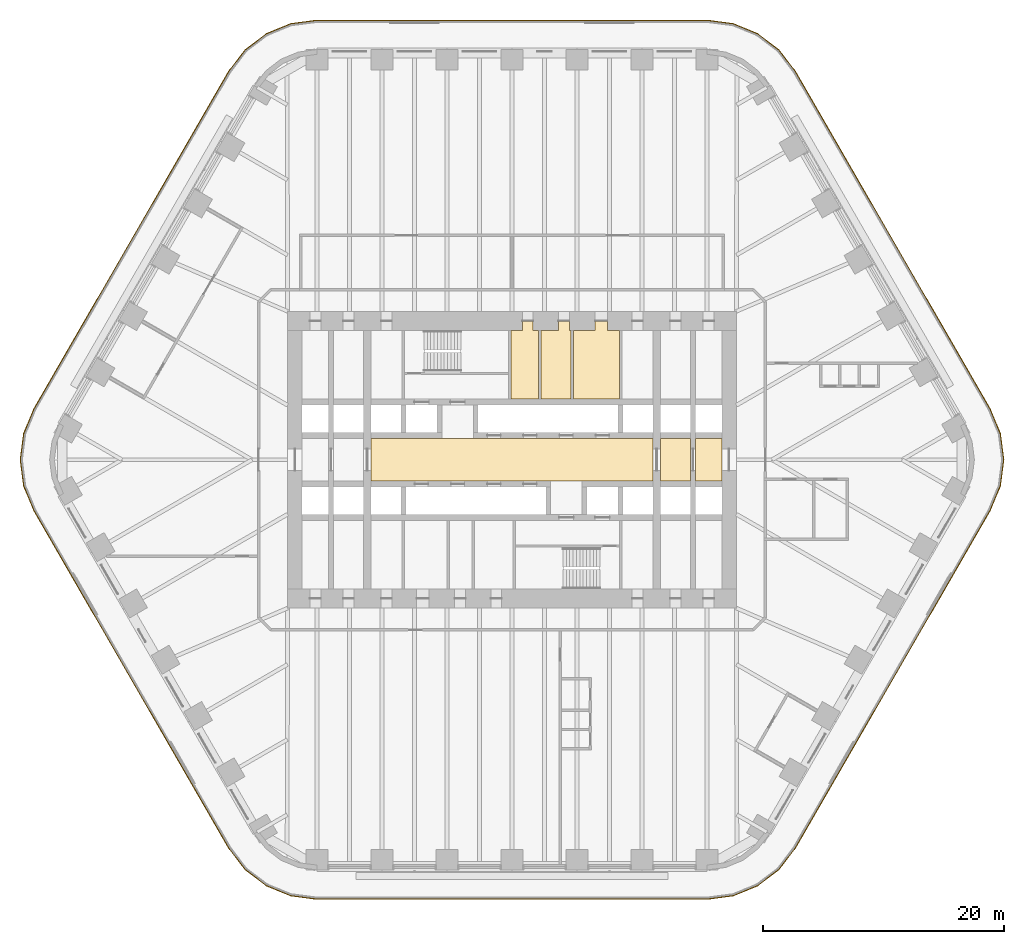
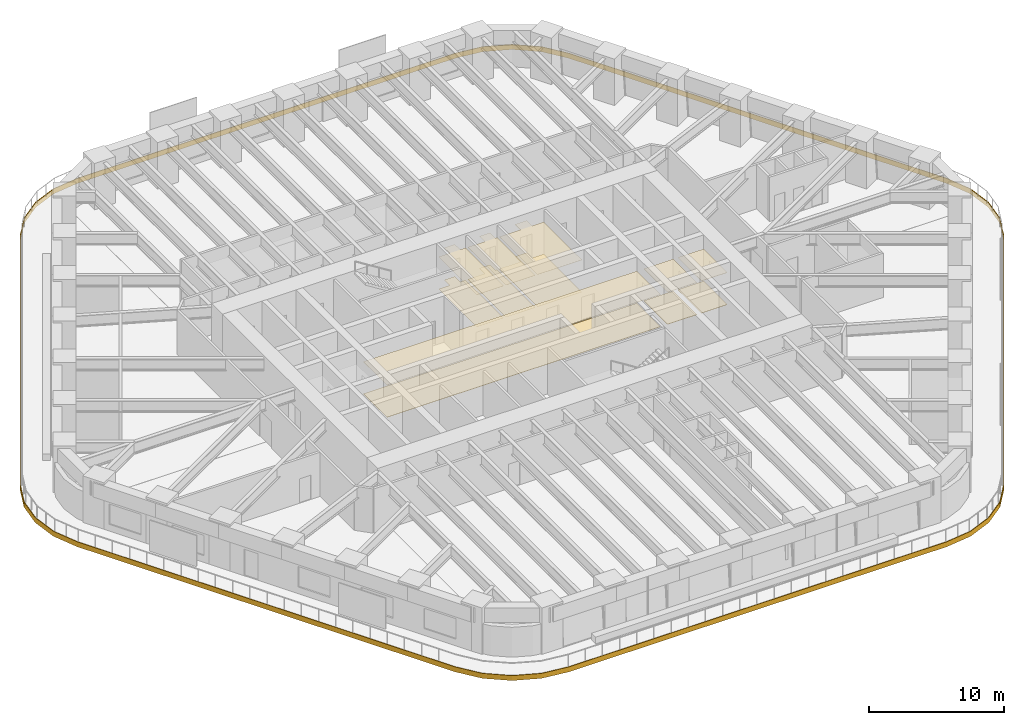
# One storey, part 23 of 24: 13 coverings.
"""IFC4 building model written with IfcOpenShell, lengths in metres."""

from ifc_helpers import new_model, si_unit, direction, frame, origin, place, context, subcontext, project, spatial, polyline, outline, extrude, material, layer, layer_set, type_object, element, save


model = new_model("IFC4")

# Units and contexts
model_context = context("Model", 3, precision=1e-05, world=origin(), true_north=direction((0.0, 1.0)))
body_context = subcontext(model_context, "Body", "Model", "MODEL_VIEW")
ifc_project = project(units=[si_unit("LENGTHUNIT", "METRE"), si_unit("AREAUNIT", "SQUARE_METRE"), si_unit("VOLUMEUNIT", "CUBIC_METRE"), si_unit("PLANEANGLEUNIT", "RADIAN"), si_unit("MASSUNIT", "GRAM", prefix="KILO")], contexts=[model_context])

# Site, building, storey
site_placement = place(None, origin())
site = spatial("IfcSite", under=ifc_project, at=site_placement, CompositionType="ELEMENT")
building_placement = place(site_placement, origin())
building = spatial("IfcBuilding", under=site, at=building_placement, Name="Tarfa Lantern Tower", CompositionType="ELEMENT")
storey_placement = place(building_placement, frame((0.0, 0.0, 94.89990234375)))
storey = spatial("IfcBuildingStorey", under=building, at=storey_placement, Name="L21", CompositionType="ELEMENT", Elevation=94.89990234375)

# Coverings
ifc_material_1 = material(Name="Moisture-resistant plasterboard", Category="finish")
ifc_layer_1 = layer(ifc_material_1, 0.014892578125)
ifc_layer_set_1 = layer_set([ifc_layer_1], Name="CL2 MOISTURE-RESISTANT PLASTERBOARD CEILING 15")
covering_type_1 = type_object("IfcCoveringType", Name="CL2 MOISTURE-RESISTANT PLASTERBOARD CEILING 15", PredefinedType="CEILING", material=ifc_layer_set_1)
covering_1_placement = place(storey_placement, frame((0.0, 0.0, 2.900146484375)))
element("IfcCovering", 1, at=covering_1_placement, inside=storey, type_object=covering_type_1, Name="Ceiling L21-09", PredefinedType="CEILING", context=body_context, shape_type="SweptSolid", body=[
    extrude(outline(polyline([(0.85009765625, 10.699951171875), (-0.10009765625, 10.699951171875), (-0.10009765625, 5.050048828125), (2.199951171875, 5.050048828125), (2.199951171875, 10.699951171875), (1.75, 10.699951171875), (1.75, 11.5), (0.85009765625, 11.5), (0.85009765625, 10.699951171875)])), origin(), (0.0, 0.0, 1.0), 0.014892578125),
])
covering_2_placement = place(storey_placement, frame((0.0, 0.0, 2.900146484375)))
element("IfcCovering", 2, at=covering_2_placement, inside=storey, type_object=covering_type_1, Name="Ceiling L21-10", PredefinedType="CEILING", context=body_context, shape_type="SweptSolid", body=[
    extrude(outline(polyline([(2.39990234375, 5.050048828125), (4.89990234375, 5.050048828125), (4.89990234375, 10.699951171875), (4.75, 10.699951171875), (4.75, 11.5), (3.85009765625, 11.5), (3.85009765625, 10.699951171875), (2.39990234375, 10.699951171875), (2.39990234375, 5.050048828125)])), origin(), (0.0, 0.0, 1.0), 0.014892578125),
])
covering_3_placement = place(storey_placement, frame((0.0, 0.0, 2.900146484375)))
element("IfcCovering", 3, at=covering_3_placement, inside=storey, type_object=covering_type_1, Name="Ceiling L21-11", PredefinedType="CEILING", context=body_context, shape_type="SweptSolid", body=[
    extrude(outline(polyline([(5.10009765625, 5.050048828125), (8.89990234375, 5.050048828125), (8.89990234375, 10.699951171875), (7.89990234375, 10.699951171875), (7.89990234375, 11.5), (6.89990234375, 11.5), (6.89990234375, 10.699951171875), (5.10009765625, 10.699951171875), (5.10009765625, 5.050048828125)])), origin(), (0.0, 0.0, 1.0), 0.014892578125),
])
ifc_material_2 = material(Name="Powder-coated aluminium panel", Category="aluminium")
ifc_layer_2 = layer(ifc_material_2, 0.030029296875)
ifc_layer_set_2 = layer_set([ifc_layer_2], Name="CL3 METAL PANEL CEILING 30")
covering_type_2 = type_object("IfcCoveringType", Name="CL3 METAL PANEL CEILING 30", PredefinedType="CEILING", material=ifc_layer_set_2)
covering_4_placement = place(storey_placement, frame((0.0, 0.0, 2.900146484375)))
element("IfcCovering", 4, at=covering_4_placement, inside=storey, type_object=covering_type_2, Name="Ceiling L21-03", PredefinedType="CEILING", context=body_context, shape_type="SweptSolid", body=[
    extrude(outline(polyline([(-11.699951171875, -1.75), (11.699951171875, -1.75), (11.699951171875, 1.75), (-11.699951171875, 1.75), (-11.699951171875, -1.75)])), origin(), (0.0, 0.0, 1.0), 0.030029296875),
])
covering_5_placement = place(storey_placement, frame((0.0, 0.0, 2.900146484375)))
element("IfcCovering", 5, at=covering_5_placement, inside=storey, type_object=covering_type_2, Name="Ceiling L21-04", PredefinedType="CEILING", context=body_context, shape_type="SweptSolid", body=[
    extrude(outline(polyline([(12.300048828125, -1.75), (14.800048828125, -1.75), (14.800048828125, 1.75), (12.300048828125, 1.75), (12.300048828125, -1.75)])), origin(), (0.0, 0.0, 1.0), 0.030029296875),
])
covering_6_placement = place(storey_placement, frame((0.0, 0.0, 2.900146484375)))
element("IfcCovering", 6, at=covering_6_placement, inside=storey, type_object=covering_type_2, Name="Ceiling L21-05", PredefinedType="CEILING", context=body_context, shape_type="SweptSolid", body=[
    extrude(outline(polyline([(15.199951171875, -1.75), (17.39990234375, -1.75), (17.39990234375, 1.75), (15.199951171875, 1.75), (15.199951171875, -1.75)])), origin(), (0.0, 0.0, 1.0), 0.030029296875),
])
ifc_material_3 = material(Name="Honed limestone flooring", Category="masonry")
ifc_layer_3 = layer(ifc_material_3, 0.030029296875)
ifc_layer_set_3 = layer_set([ifc_layer_3], Name="FL2 STONE FLOORING 30")
covering_type_3 = type_object("IfcCoveringType", Name="FL2 STONE FLOORING 30", PredefinedType="FLOORING", material=ifc_layer_set_3)
covering_7_placement = place(storey_placement, origin())
element("IfcCovering", 7, at=covering_7_placement, inside=storey, type_object=covering_type_3, Name="Floor finish L21-03", PredefinedType="FLOORING", context=body_context, shape_type="SweptSolid", body=[
    extrude(outline(polyline([(-11.699951171875, -1.75), (11.699951171875, -1.75), (11.699951171875, 1.75), (-11.699951171875, 1.75), (-11.699951171875, -1.75)])), origin(), (0.0, 0.0, 1.0), 0.030029296875),
])
covering_8_placement = place(storey_placement, origin())
element("IfcCovering", 8, at=covering_8_placement, inside=storey, type_object=covering_type_3, Name="Floor finish L21-04", PredefinedType="FLOORING", context=body_context, shape_type="SweptSolid", body=[
    extrude(outline(polyline([(12.300048828125, -1.75), (14.800048828125, -1.75), (14.800048828125, 1.75), (12.300048828125, 1.75), (12.300048828125, -1.75)])), origin(), (0.0, 0.0, 1.0), 0.030029296875),
])
covering_9_placement = place(storey_placement, origin())
element("IfcCovering", 9, at=covering_9_placement, inside=storey, type_object=covering_type_3, Name="Floor finish L21-05", PredefinedType="FLOORING", context=body_context, shape_type="SweptSolid", body=[
    extrude(outline(polyline([(15.199951171875, -1.75), (17.39990234375, -1.75), (17.39990234375, 1.75), (15.199951171875, 1.75), (15.199951171875, -1.75)])), origin(), (0.0, 0.0, 1.0), 0.030029296875),
])
ifc_material_4 = material(Name="Porcelain floor tile", Category="finish")
ifc_layer_4 = layer(ifc_material_4, 0.011962890625)
ifc_layer_set_4 = layer_set([ifc_layer_4], Name="FL3 CERAMIC TILE 12")
covering_type_4 = type_object("IfcCoveringType", Name="FL3 CERAMIC TILE 12", PredefinedType="FLOORING", material=ifc_layer_set_4)
covering_10_placement = place(storey_placement, origin())
element("IfcCovering", 10, at=covering_10_placement, inside=storey, type_object=covering_type_4, Name="Floor finish L21-09", PredefinedType="FLOORING", context=body_context, shape_type="SweptSolid", body=[
    extrude(outline(polyline([(0.85009765625, 10.699951171875), (-0.10009765625, 10.699951171875), (-0.10009765625, 5.050048828125), (2.199951171875, 5.050048828125), (2.199951171875, 10.699951171875), (1.75, 10.699951171875), (1.75, 11.5), (0.85009765625, 11.5), (0.85009765625, 10.699951171875)])), origin(), (0.0, 0.0, 1.0), 0.01220703125),
])
covering_11_placement = place(storey_placement, origin())
element("IfcCovering", 11, at=covering_11_placement, inside=storey, type_object=covering_type_4, Name="Floor finish L21-10", PredefinedType="FLOORING", context=body_context, shape_type="SweptSolid", body=[
    extrude(outline(polyline([(2.39990234375, 5.050048828125), (4.89990234375, 5.050048828125), (4.89990234375, 10.699951171875), (4.75, 10.699951171875), (4.75, 11.5), (3.85009765625, 11.5), (3.85009765625, 10.699951171875), (2.39990234375, 10.699951171875), (2.39990234375, 5.050048828125)])), origin(), (0.0, 0.0, 1.0), 0.01220703125),
])
covering_12_placement = place(storey_placement, origin())
element("IfcCovering", 12, at=covering_12_placement, inside=storey, type_object=covering_type_4, Name="Floor finish L21-11", PredefinedType="FLOORING", context=body_context, shape_type="SweptSolid", body=[
    extrude(outline(polyline([(5.10009765625, 5.050048828125), (8.89990234375, 5.050048828125), (8.89990234375, 10.699951171875), (7.89990234375, 10.699951171875), (7.89990234375, 11.5), (6.89990234375, 11.5), (6.89990234375, 10.699951171875), (5.10009765625, 10.699951171875), (5.10009765625, 5.050048828125)])), origin(), (0.0, 0.0, 1.0), 0.01220703125),
])
ifc_material_5 = material(Name="Limestone cladding on brackets", Category="masonry")
ifc_layer_5 = layer(ifc_material_5, 0.050048828125)
ifc_layer_set_5 = layer_set([ifc_layer_5], Name="SB1 STONE BAND CLADDING 50")
covering_type_5 = type_object("IfcCoveringType", Name="SB1 STONE BAND CLADDING 50", PredefinedType="CLADDING", material=ifc_layer_set_5)
covering_13_placement = place(storey_placement, frame((0.0, 0.0, -0.39990234375)))
element("IfcCovering", 13, at=covering_13_placement, inside=storey, type_object=covering_type_5, Name="Stone band", PredefinedType="CLADDING", context=body_context, shape_type="SweptSolid", body=[
    extrude(outline(polyline([(39.6494140625, 4.22509765625), (23.483642578125, 32.22509765625), (22.140869140625, 33.97509765625), (20.390869140625, 35.31787109375), (18.352783203125, 36.162109375), (16.165771484375, 36.449951171875), (-16.165771484375, 36.449951171875), (-18.352783203125, 36.162109375), (-20.390869140625, 35.31787109375), (-22.140869140625, 33.97509765625), (-23.483642578125, 32.22509765625), (-39.6494140625, 4.22509765625), (-40.49365234375, 2.18701171875), (-40.781494140625, 0.0), (-40.49365234375, -2.18701171875), (-39.6494140625, -4.22509765625), (-23.483642578125, -32.22509765625), (-22.140869140625, -33.97509765625), (-20.390869140625, -35.31787109375), (-18.352783203125, -36.162109375), (-16.165771484375, -36.449951171875), (16.165771484375, -36.449951171875), (18.352783203125, -36.162109375), (20.390869140625, -35.31787109375), (22.140869140625, -33.97509765625), (23.483642578125, -32.22509765625), (39.6494140625, -4.22509765625), (40.49365234375, -2.18701171875), (40.781494140625, 0.0), (40.49365234375, 2.18701171875), (39.6494140625, 4.22509765625)]), holes=[polyline([(39.606201171875, 4.199951171875), (23.4404296875, 32.199951171875), (22.10546875, 33.939697265625), (20.36572265625, 35.274658203125), (18.33984375, 36.11376953125), (16.165771484375, 36.39990234375), (-16.165771484375, 36.39990234375), (-18.33984375, 36.11376953125), (-20.36572265625, 35.274658203125), (-22.10546875, 33.939697265625), (-23.4404296875, 32.199951171875), (-39.606201171875, 4.199951171875), (-40.4453125, 2.174072265625), (-40.731689453125, 0.0), (-40.4453125, -2.174072265625), (-39.606201171875, -4.199951171875), (-23.4404296875, -32.199951171875), (-22.10546875, -33.939697265625), (-20.36572265625, -35.274658203125), (-18.33984375, -36.11376953125), (-16.165771484375, -36.39990234375), (16.165771484375, -36.39990234375), (18.33984375, -36.11376953125), (20.36572265625, -35.274658203125), (22.10546875, -33.939697265625), (23.4404296875, -32.199951171875), (39.606201171875, -4.199951171875), (40.4453125, -2.174072265625), (40.731689453125, 0.0), (40.4453125, 2.174072265625), (39.606201171875, 4.199951171875)])]), origin(), (0.0, 0.0, 1.0), 0.449951171875),
])

save(model, "model.ifc")
